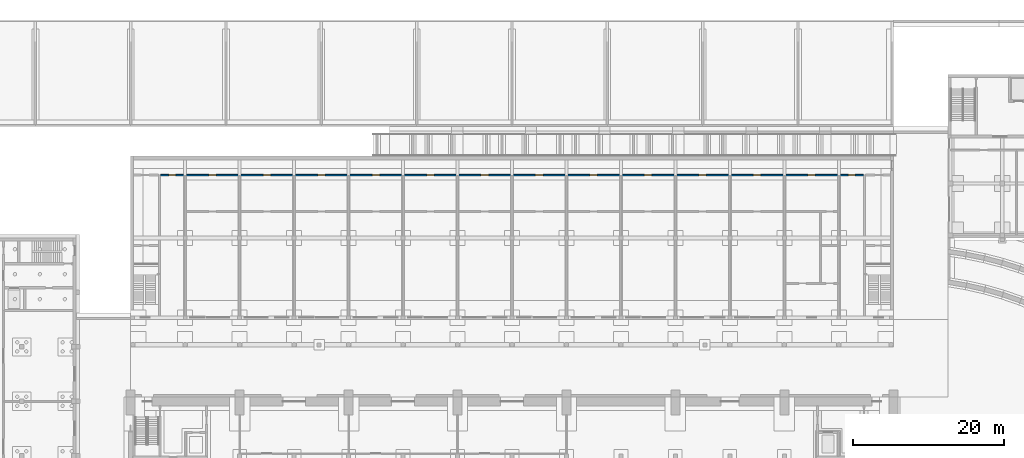
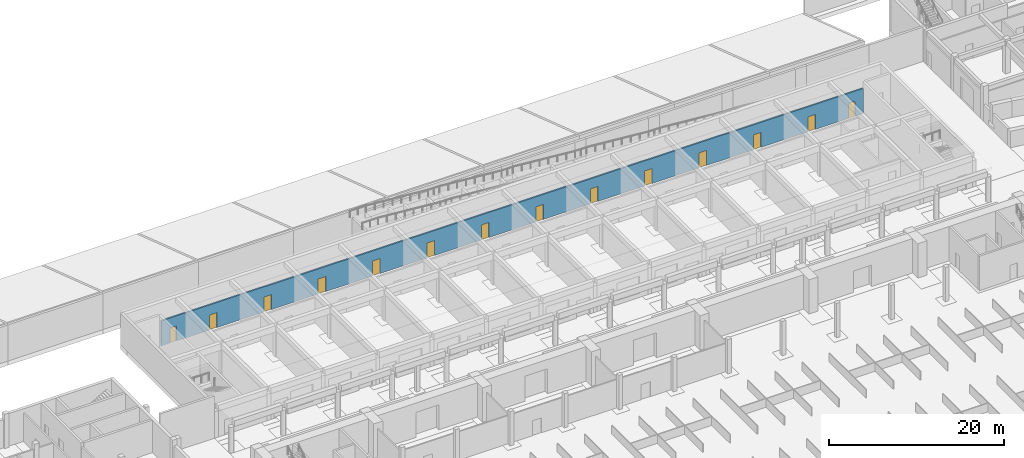
# One storey, part 55 of 73: 14 doors, 1 wall, 14 openings.
"""IFC4 building model written with IfcOpenShell, lengths in metres."""

import ifcopenshell
import ifcopenshell.guid

model = None  # the IFC model being written
_history = None  # IfcOwnerHistory: only IFC2X3 demands one
_inside = {}  # id of a spatial element -> (the spatial element, [elements in it])
_under = {}  # id of a project, library or spatial element -> (it, [spatial elements below it])
_declared = {}  # id of a project -> (the project, [libraries it declares])
_typed = {}  # id of a type object -> (the type object, [elements of that type])
_made_of = {}  # id of a material, layer set ... -> (it, [elements and type objects made of it])


def new_model(schema):
    """Start an empty IFC model of exactly this schema.

    Asked for "IFC4X3", IfcOpenShell would pick the latest addendum, in which some entities
    have other attributes; the version numbers below select the first issue.
    IFC2X3 requires an IfcOwnerHistory on every rooted entity: one is made here for all.
    """
    global model, _history
    if schema == "IFC4X3":
        model = ifcopenshell.file(schema_version=(4, 3, 0, 0))
    else:
        model = ifcopenshell.file(schema=schema)
    _inside.clear()
    _under.clear()
    _declared.clear()
    _typed.clear()
    _made_of.clear()
    _history = None
    if model.schema == "IFC2X3":
        org = make("IfcOrganization", Name="unknown")
        user = make(
            "IfcPersonAndOrganization",
            ThePerson=make("IfcPerson", FamilyName="unknown"),
            TheOrganization=org,
        )
        app = make(
            "IfcApplication",
            ApplicationDeveloper=org,
            Version="unknown",
            ApplicationFullName="unknown",
            ApplicationIdentifier="unknown",
        )
        _history = make(
            "IfcOwnerHistory",
            OwningUser=user,
            OwningApplication=app,
            ChangeAction="ADDED",
            CreationDate=0,
        )
    return model


def make(cls, **values):
    """One entity of the class cls with the attributes given. An attribute that is None is left unset."""
    return model.create_entity(
        cls, **{name: value for name, value in values.items() if value is not None}
    )


def rooted(cls, **values):
    """An entity with a GlobalId (a new one), such as an element, a storey or a relation."""
    return make(cls, GlobalId=ifcopenshell.guid.new(), OwnerHistory=_history, **values)


def si_unit(unit_type, name, prefix=None):
    """IfcSIUnit, for example si_unit("LENGTHUNIT", "METRE", prefix="MILLI")."""
    return make("IfcSIUnit", UnitType=unit_type, Prefix=prefix, Name=name)


def assignment(units):
    """IfcUnitAssignment: the units of a project."""
    return None if units is None else make("IfcUnitAssignment", Units=units)


def point(xyz):
    """IfcCartesianPoint."""
    return None if xyz is None else make("IfcCartesianPoint", Coordinates=xyz)


def direction(xyz):
    """IfcDirection."""
    return None if xyz is None else make("IfcDirection", DirectionRatios=xyz)


def frame(location, z_axis=None, x_axis=None):
    """IfcAxis2Placement3D, a coordinate frame: its origin and axes. An axis left out is left unset."""
    return make(
        "IfcAxis2Placement3D",
        Location=point(location),
        Axis=direction(z_axis),
        RefDirection=direction(x_axis),
    )


def frame_2d(location, x_axis=None):
    """IfcAxis2Placement2D, a coordinate frame in the plane: its origin and x axis."""
    return make(
        "IfcAxis2Placement2D", Location=point(location), RefDirection=direction(x_axis)
    )


def origin():
    """The frame at (0, 0, 0) with its axes left unset."""
    return frame((0.0, 0.0, 0.0))


def place(relative_to, where):
    """IfcLocalPlacement: puts the frame where relative to a parent placement (None: the world)."""
    return make(
        "IfcLocalPlacement", PlacementRelTo=relative_to, RelativePlacement=where
    )


def context(
    kind, dimensions, precision=None, world=None, true_north=None, identifier=None
):
    """IfcGeometricRepresentationContext, for example the 3D "Model" context."""
    return make(
        "IfcGeometricRepresentationContext",
        ContextIdentifier=identifier,
        ContextType=kind,
        CoordinateSpaceDimension=dimensions,
        Precision=precision,
        WorldCoordinateSystem=world,
        TrueNorth=true_north,
    )


def subcontext(parent, identifier, kind, view, scale=None):
    """IfcGeometricRepresentationSubContext, for example "Body" below "Model"."""
    return make(
        "IfcGeometricRepresentationSubContext",
        ContextIdentifier=identifier,
        ContextType=kind,
        ParentContext=parent,
        TargetScale=scale,
        TargetView=view,
    )


def project(units=None, contexts=None):
    """IfcProject with its units and contexts."""
    return rooted(
        "IfcProject",
        Name="project",
        RepresentationContexts=contexts,
        UnitsInContext=assignment(units),
    )


def spatial(cls, under=None, at=None, **own):
    """A site, building, storey or space (cls), placed at a placement, below another one or the project."""
    s = rooted(cls, ObjectPlacement=at, **own)
    if under is not None:
        _under.setdefault(under.id(), (under, []))[1].append(s)
    return s


def profile(cls, at=None, kind="AREA", **sizes):
    """A parametric profile (cls). Its sizes go by their IFC names, for example OverallWidth=200.0."""
    return make(cls, ProfileType=kind, Position=at, **sizes)


def rectangle(**sizes):
    """IfcRectangleProfileDef."""
    return profile("IfcRectangleProfileDef", **sizes)


def extrude(swept, where, along, depth):
    """IfcExtrudedAreaSolid: the profile swept, set in the frame where, extruded along a direction by depth."""
    return make(
        "IfcExtrudedAreaSolid",
        SweptArea=swept,
        Position=where,
        ExtrudedDirection=direction(along),
        Depth=depth,
    )


def shape(context_of_items, identifier, shape_type, items):
    """IfcShapeRepresentation: the items that make up one representation, for example the "Body"."""
    return make(
        "IfcShapeRepresentation",
        ContextOfItems=context_of_items,
        RepresentationIdentifier=identifier,
        RepresentationType=shape_type,
        Items=items,
    )


def material(Name=None, Category=None):
    """IfcMaterial."""
    return make("IfcMaterial", Name=Name, Category=Category)


def layer(
    of_material, thickness, ventilated=None, Name=None, Category=None, Priority=None
):
    """IfcMaterialLayer: one layer of a wall or slab, of a material (None: an air gap)."""
    return make(
        "IfcMaterialLayer",
        Material=of_material,
        LayerThickness=thickness,
        IsVentilated=ventilated,
        Name=Name,
        Category=Category,
        Priority=Priority,
    )


def layer_set(layers, Name=None):
    """IfcMaterialLayerSet."""
    return make("IfcMaterialLayerSet", MaterialLayers=layers, LayerSetName=Name)


def made_of(thing, what):
    """Note that an element or type object is made of a material, layer set ...; save() writes the relation."""
    if what is not None:
        _made_of.setdefault(what.id(), (what, []))[1].append(thing)
    return thing


def type_object(cls, material=None, **own):
    """A type object (cls), such as IfcWallType, which elements share."""
    return made_of(rooted(cls, **own), material)


def element(
    cls,
    number,
    at=None,
    inside=None,
    cuts=None,
    type_object=None,
    material=None,
    context=None,
    identifier="Body",
    shape_type=None,
    held_by="IfcProductDefinitionShape",
    body=None,
    shapes=None,
    **own,
):
    """One element of the class cls, such as IfcWall. Its Tag is "e" and its number.

    at: its placement. inside: the storey or other place that contains it. cuts: it is an
    opening in that element (IfcRelVoidsElement). A single representation is given by context,
    identifier, shape_type and body (its items); several are given by shapes. held_by: the class
    of the entity that holds the representations. save() writes the other relations.
    """
    e = rooted(cls, Tag="e%d" % number, ObjectPlacement=at, **own)
    if body is not None:
        shapes = [shape(context, identifier, shape_type, body)]
    if shapes is not None:
        e.Representation = make(held_by, Representations=shapes)
    if inside is not None:
        _inside.setdefault(inside.id(), (inside, []))[1].append(e)
    if cuts is not None:
        rooted(
            "IfcRelVoidsElement", RelatingBuildingElement=cuts, RelatedOpeningElement=e
        )
    if type_object is not None:
        _typed.setdefault(type_object.id(), (type_object, []))[1].append(e)
    return made_of(e, material)


def fill(opening, filler):
    """IfcRelFillsElement: the door or window that sits in an opening."""
    return rooted(
        "IfcRelFillsElement",
        RelatingOpeningElement=opening,
        RelatedBuildingElement=filler,
    )


def aggregate(whole, parts):
    """IfcRelAggregates: a whole, such as a stair, and the parts it consists of."""
    return rooted("IfcRelAggregates", RelatingObject=whole, RelatedObjects=parts)


def save(model, path):
    """Write the relations noted so far, then the file.

    IfcRelAggregates (storeys below a building ...), IfcRelContainedInSpatialStructure (elements
    in a storey), IfcRelDefinesByType, IfcRelAssociatesMaterial and IfcRelDeclares: one each for
    every whole, place, type object, material and project.
    """
    for whole, parts in _under.values():
        aggregate(whole, parts)
    for where, things in _inside.values():
        rooted(
            "IfcRelContainedInSpatialStructure",
            RelatedElements=things,
            RelatingStructure=where,
        )
    for kind, things in _typed.values():
        rooted("IfcRelDefinesByType", RelatedObjects=things, RelatingType=kind)
    for what, things in _made_of.values():
        rooted("IfcRelAssociatesMaterial", RelatedObjects=things, RelatingMaterial=what)
    for by, libraries in _declared.values():
        rooted("IfcRelDeclares", RelatingContext=by, RelatedDefinitions=libraries)
    model.write(path)


model = new_model("IFC4")

# Units and contexts
model_context = context("Model", 3, precision=1e-05, world=origin(), true_north=direction((0.0, 1.0)))
body_context = subcontext(model_context, "Body", "Model", "MODEL_VIEW")
ifc_project = project(units=[si_unit("LENGTHUNIT", "METRE"), si_unit("AREAUNIT", "SQUARE_METRE"), si_unit("VOLUMEUNIT", "CUBIC_METRE"), si_unit("PLANEANGLEUNIT", "RADIAN"), si_unit("MASSUNIT", "GRAM", prefix="KILO")], contexts=[model_context])

# Site, building, storey
site_placement = place(None, origin())
site = spatial("IfcSite", under=ifc_project, at=site_placement, CompositionType="ELEMENT")
building_placement = place(site_placement, origin())
building = spatial("IfcBuilding", under=site, at=building_placement, Name="Alderwick Market Hall", CompositionType="ELEMENT")
storey_placement = place(building_placement, origin())
storey = spatial("IfcBuildingStorey", under=building, at=storey_placement, Name="LG", CompositionType="ELEMENT", Elevation=0.0)

# Wall, openings, doors
ifc_material_1 = material(Name="Concrete masonry 3000 psi", Category="masonry")
ifc_layer = layer(ifc_material_1, 0.199951171875)
ifc_layer_set = layer_set([ifc_layer], Name="Concrete masonry 3000 psi")
wall_type = type_object("IfcWallType", Name="A Masonry Partition 200", PredefinedType="PARTITIONING", material=ifc_layer_set)
wall_placement = place(storey_placement, frame((54.35009765625, 137.89990234375, 0.0), z_axis=(0.0, 0.0, 1.0), x_axis=(1.0, 0.0, 0.0)))
wall = element("IfcWall", 1, at=wall_placement, inside=storey, type_object=wall_type, Name="A.N.wall.020", PredefinedType="PARTITIONING", context=body_context, shape_type="SweptSolid", body=[
    extrude(rectangle(XDim=92.89990234375, YDim=0.199951171875, at=frame_2d((46.449951171875, 0.0))), origin(), (0.0, 0.0, 1.0), 3.5),
])
opening_1_placement = place(wall_placement, frame((1.10009765625, 0.0, 0.0)))
opening_1 = element("IfcOpeningElement", 2, at=opening_1_placement, cuts=wall, Name="Opening A-D031", PredefinedType="OPENING", context=body_context, shape_type="SweptSolid", body=[
    extrude(rectangle(XDim=0.89990234375, YDim=2.10009765625, at=frame_2d((0.449951171875, 1.050048828125))), frame((0.0, 0.10986328125, 0.0), z_axis=(0.0, -1.0, 0.0), x_axis=(1.0, 0.0, 0.0)), (0.0, 0.0, 1.0), 0.219970703125),
])
opening_2_placement = place(wall_placement, frame((90.89990234375, 0.0, 0.0)))
opening_2 = element("IfcOpeningElement", 3, at=opening_2_placement, cuts=wall, Name="Opening A-D032", PredefinedType="OPENING", context=body_context, shape_type="SweptSolid", body=[
    extrude(rectangle(XDim=0.89990234375, YDim=2.10009765625, at=frame_2d((0.449951171875, 1.050048828125))), frame((0.0, 0.10986328125, 0.0), z_axis=(0.0, -1.0, 0.0), x_axis=(1.0, 0.0, 0.0)), (0.0, 0.0, 1.0), 0.219970703125),
])
opening_3_placement = place(wall_placement, frame((6.35009765625, 0.0, 0.0)))
opening_3 = element("IfcOpeningElement", 4, at=opening_3_placement, cuts=wall, Name="Opening A-D034", PredefinedType="OPENING", context=body_context, shape_type="SweptSolid", body=[
    extrude(rectangle(XDim=1.0, YDim=2.10009765625, at=frame_2d((0.5, 1.050048828125))), frame((0.0, 0.10986328125, 0.0), z_axis=(0.0, -1.0, 0.0), x_axis=(1.0, 0.0, 0.0)), (0.0, 0.0, 1.0), 0.219970703125),
])
opening_4_placement = place(wall_placement, frame((13.550048828125, 0.0, 0.0)))
opening_4 = element("IfcOpeningElement", 5, at=opening_4_placement, cuts=wall, Name="Opening A-D036", PredefinedType="OPENING", context=body_context, shape_type="SweptSolid", body=[
    extrude(rectangle(XDim=1.0, YDim=2.10009765625, at=frame_2d((0.5, 1.050048828125))), frame((0.0, 0.10986328125, 0.0), z_axis=(0.0, -1.0, 0.0), x_axis=(1.0, 0.0, 0.0)), (0.0, 0.0, 1.0), 0.219970703125),
])
opening_5_placement = place(wall_placement, frame((20.75, 0.0, 0.0)))
opening_5 = element("IfcOpeningElement", 6, at=opening_5_placement, cuts=wall, Name="Opening A-D038", PredefinedType="OPENING", context=body_context, shape_type="SweptSolid", body=[
    extrude(rectangle(XDim=1.0, YDim=2.10009765625, at=frame_2d((0.5, 1.050048828125))), frame((0.0, 0.10986328125, 0.0), z_axis=(0.0, -1.0, 0.0), x_axis=(1.0, 0.0, 0.0)), (0.0, 0.0, 1.0), 0.219970703125),
])
opening_6_placement = place(wall_placement, frame((27.949951171875, 0.0, 0.0)))
opening_6 = element("IfcOpeningElement", 7, at=opening_6_placement, cuts=wall, Name="Opening A-D040", PredefinedType="OPENING", context=body_context, shape_type="SweptSolid", body=[
    extrude(rectangle(XDim=1.0, YDim=2.10009765625, at=frame_2d((0.5, 1.050048828125))), frame((0.0, 0.10986328125, 0.0), z_axis=(0.0, -1.0, 0.0), x_axis=(1.0, 0.0, 0.0)), (0.0, 0.0, 1.0), 0.219970703125),
])
opening_7_placement = place(wall_placement, frame((35.14990234375, 0.0, 0.0)))
opening_7 = element("IfcOpeningElement", 8, at=opening_7_placement, cuts=wall, Name="Opening A-D042", PredefinedType="OPENING", context=body_context, shape_type="SweptSolid", body=[
    extrude(rectangle(XDim=1.0, YDim=2.10009765625, at=frame_2d((0.5, 1.050048828125))), frame((0.0, 0.10986328125, 0.0), z_axis=(0.0, -1.0, 0.0), x_axis=(1.0, 0.0, 0.0)), (0.0, 0.0, 1.0), 0.219970703125),
])
opening_8_placement = place(wall_placement, frame((42.35009765625, 0.0, 0.0)))
opening_8 = element("IfcOpeningElement", 9, at=opening_8_placement, cuts=wall, Name="Opening A-D044", PredefinedType="OPENING", context=body_context, shape_type="SweptSolid", body=[
    extrude(rectangle(XDim=1.0, YDim=2.10009765625, at=frame_2d((0.5, 1.050048828125))), frame((0.0, 0.10986328125, 0.0), z_axis=(0.0, -1.0, 0.0), x_axis=(1.0, 0.0, 0.0)), (0.0, 0.0, 1.0), 0.219970703125),
])
opening_9_placement = place(wall_placement, frame((49.550048828125, 0.0, 0.0)))
opening_9 = element("IfcOpeningElement", 10, at=opening_9_placement, cuts=wall, Name="Opening A-D046", PredefinedType="OPENING", context=body_context, shape_type="SweptSolid", body=[
    extrude(rectangle(XDim=1.0, YDim=2.10009765625, at=frame_2d((0.5, 1.050048828125))), frame((0.0, 0.10986328125, 0.0), z_axis=(0.0, -1.0, 0.0), x_axis=(1.0, 0.0, 0.0)), (0.0, 0.0, 1.0), 0.219970703125),
])
opening_10_placement = place(wall_placement, frame((56.75, 0.0, 0.0)))
opening_10 = element("IfcOpeningElement", 11, at=opening_10_placement, cuts=wall, Name="Opening A-D048", PredefinedType="OPENING", context=body_context, shape_type="SweptSolid", body=[
    extrude(rectangle(XDim=1.0, YDim=2.10009765625, at=frame_2d((0.5, 1.050048828125))), frame((0.0, 0.10986328125, 0.0), z_axis=(0.0, -1.0, 0.0), x_axis=(1.0, 0.0, 0.0)), (0.0, 0.0, 1.0), 0.219970703125),
])
opening_11_placement = place(wall_placement, frame((63.949951171875, 0.0, 0.0)))
opening_11 = element("IfcOpeningElement", 12, at=opening_11_placement, cuts=wall, Name="Opening A-D050", PredefinedType="OPENING", context=body_context, shape_type="SweptSolid", body=[
    extrude(rectangle(XDim=1.0, YDim=2.10009765625, at=frame_2d((0.5, 1.050048828125))), frame((0.0, 0.10986328125, 0.0), z_axis=(0.0, -1.0, 0.0), x_axis=(1.0, 0.0, 0.0)), (0.0, 0.0, 1.0), 0.219970703125),
])
opening_12_placement = place(wall_placement, frame((71.14990234375, 0.0, 0.0)))
opening_12 = element("IfcOpeningElement", 13, at=opening_12_placement, cuts=wall, Name="Opening A-D052", PredefinedType="OPENING", context=body_context, shape_type="SweptSolid", body=[
    extrude(rectangle(XDim=1.0, YDim=2.10009765625, at=frame_2d((0.5, 1.050048828125))), frame((0.0, 0.10986328125, 0.0), z_axis=(0.0, -1.0, 0.0), x_axis=(1.0, 0.0, 0.0)), (0.0, 0.0, 1.0), 0.219970703125),
])
opening_13_placement = place(wall_placement, frame((78.35009765625, 0.0, 0.0)))
opening_13 = element("IfcOpeningElement", 14, at=opening_13_placement, cuts=wall, Name="Opening A-D054", PredefinedType="OPENING", context=body_context, shape_type="SweptSolid", body=[
    extrude(rectangle(XDim=1.0, YDim=2.10009765625, at=frame_2d((0.5, 1.050048828125))), frame((0.0, 0.10986328125, 0.0), z_axis=(0.0, -1.0, 0.0), x_axis=(1.0, 0.0, 0.0)), (0.0, 0.0, 1.0), 0.219970703125),
])
opening_14_placement = place(wall_placement, frame((85.550048828125, 0.0, 0.0)))
opening_14 = element("IfcOpeningElement", 15, at=opening_14_placement, cuts=wall, Name="Opening A-D055", PredefinedType="OPENING", context=body_context, shape_type="SweptSolid", body=[
    extrude(rectangle(XDim=1.0, YDim=2.10009765625, at=frame_2d((0.5, 1.050048828125))), frame((0.0, 0.10986328125, 0.0), z_axis=(0.0, -1.0, 0.0), x_axis=(1.0, 0.0, 0.0)), (0.0, 0.0, 1.0), 0.219970703125),
])
ifc_material_2 = material(Name="Hollow metal door and frame")
door_type_1 = type_object("IfcDoorType", Name="A Door 1000x2100", OperationType="SINGLE_SWING_LEFT", PredefinedType="DOOR", material=ifc_material_2)
door_1_placement = place(opening_3_placement, origin())
door_1 = element("IfcDoor", 16, at=door_1_placement, inside=storey, type_object=door_type_1, Name="Shop store door", OperationType="SINGLE_SWING_RIGHT", OverallHeight=2.10009765625, OverallWidth=1.0, PredefinedType="DOOR", context=body_context, shape_type="SweptSolid", body=[
    extrude(rectangle(XDim=1.0, YDim=2.10009765625, at=frame_2d((0.5, 1.050048828125))), frame((0.0, 0.02490234375, 0.0), z_axis=(0.0, -1.0, 0.0), x_axis=(1.0, 0.0, 0.0)), (0.0, 0.0, 1.0), 0.050048828125),
])
fill(opening_3, door_1)
door_2_placement = place(opening_4_placement, origin())
door_2 = element("IfcDoor", 17, at=door_2_placement, inside=storey, type_object=door_type_1, Name="Shop store door", OperationType="SINGLE_SWING_RIGHT", OverallHeight=2.10009765625, OverallWidth=1.0, PredefinedType="DOOR", context=body_context, shape_type="SweptSolid", body=[
    extrude(rectangle(XDim=1.0, YDim=2.10009765625, at=frame_2d((0.5, 1.050048828125))), frame((0.0, 0.02490234375, 0.0), z_axis=(0.0, -1.0, 0.0), x_axis=(1.0, 0.0, 0.0)), (0.0, 0.0, 1.0), 0.050048828125),
])
fill(opening_4, door_2)
door_3_placement = place(opening_5_placement, origin())
door_3 = element("IfcDoor", 18, at=door_3_placement, inside=storey, type_object=door_type_1, Name="Shop store door", OperationType="SINGLE_SWING_RIGHT", OverallHeight=2.10009765625, OverallWidth=1.0, PredefinedType="DOOR", context=body_context, shape_type="SweptSolid", body=[
    extrude(rectangle(XDim=1.0, YDim=2.10009765625, at=frame_2d((0.5, 1.050048828125))), frame((0.0, 0.02490234375, 0.0), z_axis=(0.0, -1.0, 0.0), x_axis=(1.0, 0.0, 0.0)), (0.0, 0.0, 1.0), 0.050048828125),
])
fill(opening_5, door_3)
door_4_placement = place(opening_6_placement, origin())
door_4 = element("IfcDoor", 19, at=door_4_placement, inside=storey, type_object=door_type_1, Name="Shop store door", OperationType="SINGLE_SWING_RIGHT", OverallHeight=2.10009765625, OverallWidth=1.0, PredefinedType="DOOR", context=body_context, shape_type="SweptSolid", body=[
    extrude(rectangle(XDim=1.0, YDim=2.10009765625, at=frame_2d((0.5, 1.050048828125))), frame((0.0, 0.02490234375, 0.0), z_axis=(0.0, -1.0, 0.0), x_axis=(1.0, 0.0, 0.0)), (0.0, 0.0, 1.0), 0.050048828125),
])
fill(opening_6, door_4)
door_5_placement = place(opening_7_placement, origin())
door_5 = element("IfcDoor", 20, at=door_5_placement, inside=storey, type_object=door_type_1, Name="Shop store door", OperationType="SINGLE_SWING_RIGHT", OverallHeight=2.10009765625, OverallWidth=1.0, PredefinedType="DOOR", context=body_context, shape_type="SweptSolid", body=[
    extrude(rectangle(XDim=1.0, YDim=2.10009765625, at=frame_2d((0.5, 1.050048828125))), frame((0.0, 0.02490234375, 0.0), z_axis=(0.0, -1.0, 0.0), x_axis=(1.0, 0.0, 0.0)), (0.0, 0.0, 1.0), 0.050048828125),
])
fill(opening_7, door_5)
door_6_placement = place(opening_8_placement, origin())
door_6 = element("IfcDoor", 21, at=door_6_placement, inside=storey, type_object=door_type_1, Name="Shop store door", OperationType="SINGLE_SWING_RIGHT", OverallHeight=2.10009765625, OverallWidth=1.0, PredefinedType="DOOR", context=body_context, shape_type="SweptSolid", body=[
    extrude(rectangle(XDim=1.0, YDim=2.10009765625, at=frame_2d((0.5, 1.050048828125))), frame((0.0, 0.02490234375, 0.0), z_axis=(0.0, -1.0, 0.0), x_axis=(1.0, 0.0, 0.0)), (0.0, 0.0, 1.0), 0.050048828125),
])
fill(opening_8, door_6)
door_7_placement = place(opening_9_placement, origin())
door_7 = element("IfcDoor", 22, at=door_7_placement, inside=storey, type_object=door_type_1, Name="Shop store door", OperationType="SINGLE_SWING_RIGHT", OverallHeight=2.10009765625, OverallWidth=1.0, PredefinedType="DOOR", context=body_context, shape_type="SweptSolid", body=[
    extrude(rectangle(XDim=1.0, YDim=2.10009765625, at=frame_2d((0.5, 1.050048828125))), frame((0.0, 0.02490234375, 0.0), z_axis=(0.0, -1.0, 0.0), x_axis=(1.0, 0.0, 0.0)), (0.0, 0.0, 1.0), 0.050048828125),
])
fill(opening_9, door_7)
door_8_placement = place(opening_10_placement, origin())
door_8 = element("IfcDoor", 23, at=door_8_placement, inside=storey, type_object=door_type_1, Name="Shop store door", OperationType="SINGLE_SWING_RIGHT", OverallHeight=2.10009765625, OverallWidth=1.0, PredefinedType="DOOR", context=body_context, shape_type="SweptSolid", body=[
    extrude(rectangle(XDim=1.0, YDim=2.10009765625, at=frame_2d((0.5, 1.050048828125))), frame((0.0, 0.02490234375, 0.0), z_axis=(0.0, -1.0, 0.0), x_axis=(1.0, 0.0, 0.0)), (0.0, 0.0, 1.0), 0.050048828125),
])
fill(opening_10, door_8)
door_9_placement = place(opening_11_placement, origin())
door_9 = element("IfcDoor", 24, at=door_9_placement, inside=storey, type_object=door_type_1, Name="Shop store door", OperationType="SINGLE_SWING_RIGHT", OverallHeight=2.10009765625, OverallWidth=1.0, PredefinedType="DOOR", context=body_context, shape_type="SweptSolid", body=[
    extrude(rectangle(XDim=1.0, YDim=2.10009765625, at=frame_2d((0.5, 1.050048828125))), frame((0.0, 0.02490234375, 0.0), z_axis=(0.0, -1.0, 0.0), x_axis=(1.0, 0.0, 0.0)), (0.0, 0.0, 1.0), 0.050048828125),
])
fill(opening_11, door_9)
door_10_placement = place(opening_12_placement, origin())
door_10 = element("IfcDoor", 25, at=door_10_placement, inside=storey, type_object=door_type_1, Name="Shop store door", OperationType="SINGLE_SWING_RIGHT", OverallHeight=2.10009765625, OverallWidth=1.0, PredefinedType="DOOR", context=body_context, shape_type="SweptSolid", body=[
    extrude(rectangle(XDim=1.0, YDim=2.10009765625, at=frame_2d((0.5, 1.050048828125))), frame((0.0, 0.02490234375, 0.0), z_axis=(0.0, -1.0, 0.0), x_axis=(1.0, 0.0, 0.0)), (0.0, 0.0, 1.0), 0.050048828125),
])
fill(opening_12, door_10)
door_11_placement = place(opening_13_placement, origin())
door_11 = element("IfcDoor", 26, at=door_11_placement, inside=storey, type_object=door_type_1, Name="Shop store door", OperationType="SINGLE_SWING_RIGHT", OverallHeight=2.10009765625, OverallWidth=1.0, PredefinedType="DOOR", context=body_context, shape_type="SweptSolid", body=[
    extrude(rectangle(XDim=1.0, YDim=2.10009765625, at=frame_2d((0.5, 1.050048828125))), frame((0.0, 0.02490234375, 0.0), z_axis=(0.0, -1.0, 0.0), x_axis=(1.0, 0.0, 0.0)), (0.0, 0.0, 1.0), 0.050048828125),
])
fill(opening_13, door_11)
door_12_placement = place(opening_14_placement, origin())
door_12 = element("IfcDoor", 27, at=door_12_placement, inside=storey, type_object=door_type_1, Name="Shop store door", OperationType="SINGLE_SWING_LEFT", OverallHeight=2.10009765625, OverallWidth=1.0, PredefinedType="DOOR", context=body_context, shape_type="SweptSolid", body=[
    extrude(rectangle(XDim=1.0, YDim=2.10009765625, at=frame_2d((0.5, 1.050048828125))), frame((0.0, 0.02490234375, 0.0), z_axis=(0.0, -1.0, 0.0), x_axis=(1.0, 0.0, 0.0)), (0.0, 0.0, 1.0), 0.050048828125),
])
fill(opening_14, door_12)
door_type_2 = type_object("IfcDoorType", Name="A Door 900x2100", OperationType="SINGLE_SWING_LEFT", PredefinedType="DOOR", material=ifc_material_2)
door_13_placement = place(opening_1_placement, origin())
door_13 = element("IfcDoor", 28, at=door_13_placement, inside=storey, type_object=door_type_2, Name="Shop store door", OperationType="SINGLE_SWING_LEFT", OverallHeight=2.10009765625, OverallWidth=0.89990234375, PredefinedType="DOOR", context=body_context, shape_type="SweptSolid", body=[
    extrude(rectangle(XDim=0.89990234375, YDim=2.10009765625, at=frame_2d((0.449951171875, 1.050048828125))), frame((0.0, 0.02490234375, 0.0), z_axis=(0.0, -1.0, 0.0), x_axis=(1.0, 0.0, 0.0)), (0.0, 0.0, 1.0), 0.050048828125),
])
fill(opening_1, door_13)
door_14_placement = place(opening_2_placement, origin())
door_14 = element("IfcDoor", 29, at=door_14_placement, inside=storey, type_object=door_type_2, Name="Shop store door", OperationType="SINGLE_SWING_RIGHT", OverallHeight=2.10009765625, OverallWidth=0.89990234375, PredefinedType="DOOR", context=body_context, shape_type="SweptSolid", body=[
    extrude(rectangle(XDim=0.89990234375, YDim=2.10009765625, at=frame_2d((0.449951171875, 1.050048828125))), frame((0.0, 0.02490234375, 0.0), z_axis=(0.0, -1.0, 0.0), x_axis=(1.0, 0.0, 0.0)), (0.0, 0.0, 1.0), 0.050048828125),
])
fill(opening_2, door_14)

save(model, "model.ifc")
